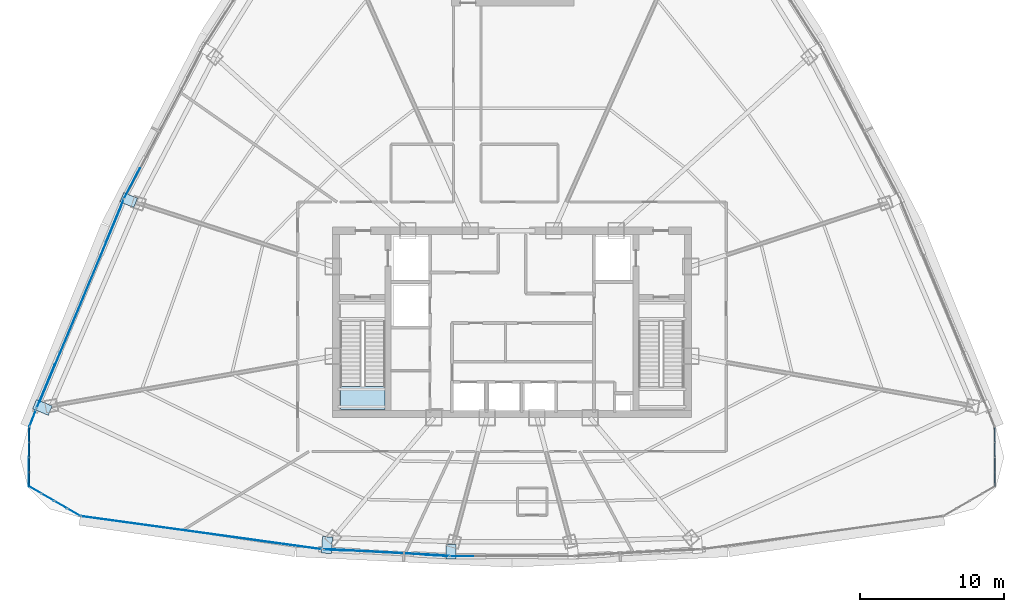
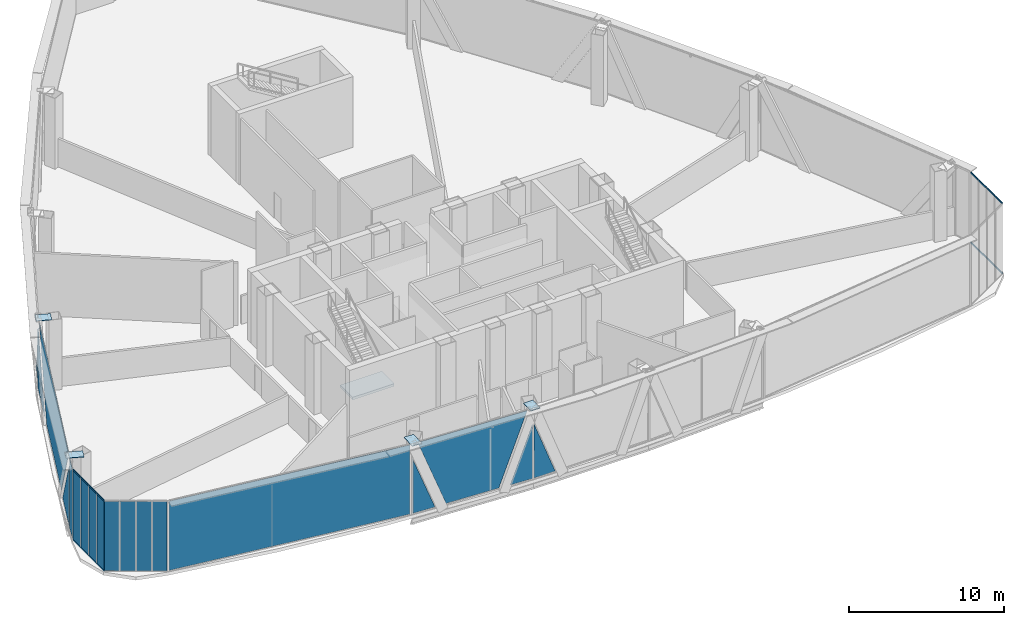
# One storey, part 28 of 38: 22 plates, 16 members, 1 slab, 10 elements without a shape of their own.
"""IFC4 building model written with IfcOpenShell, lengths in metres."""

import ifcopenshell
import ifcopenshell.guid

model = None  # the IFC model being written
_history = None  # IfcOwnerHistory: only IFC2X3 demands one
_inside = {}  # id of a spatial element -> (the spatial element, [elements in it])
_under = {}  # id of a project, library or spatial element -> (it, [spatial elements below it])
_declared = {}  # id of a project -> (the project, [libraries it declares])
_typed = {}  # id of a type object -> (the type object, [elements of that type])
_made_of = {}  # id of a material, layer set ... -> (it, [elements and type objects made of it])


def new_model(schema):
    """Start an empty IFC model of exactly this schema.

    Asked for "IFC4X3", IfcOpenShell would pick the latest addendum, in which some entities
    have other attributes; the version numbers below select the first issue.
    IFC2X3 requires an IfcOwnerHistory on every rooted entity: one is made here for all.
    """
    global model, _history
    if schema == "IFC4X3":
        model = ifcopenshell.file(schema_version=(4, 3, 0, 0))
    else:
        model = ifcopenshell.file(schema=schema)
    _inside.clear()
    _under.clear()
    _declared.clear()
    _typed.clear()
    _made_of.clear()
    _history = None
    if model.schema == "IFC2X3":
        org = make("IfcOrganization", Name="unknown")
        user = make(
            "IfcPersonAndOrganization",
            ThePerson=make("IfcPerson", FamilyName="unknown"),
            TheOrganization=org,
        )
        app = make(
            "IfcApplication",
            ApplicationDeveloper=org,
            Version="unknown",
            ApplicationFullName="unknown",
            ApplicationIdentifier="unknown",
        )
        _history = make(
            "IfcOwnerHistory",
            OwningUser=user,
            OwningApplication=app,
            ChangeAction="ADDED",
            CreationDate=0,
        )
    return model


def make(cls, **values):
    """One entity of the class cls with the attributes given. An attribute that is None is left unset."""
    return model.create_entity(
        cls, **{name: value for name, value in values.items() if value is not None}
    )


def rooted(cls, **values):
    """An entity with a GlobalId (a new one), such as an element, a storey or a relation."""
    return make(cls, GlobalId=ifcopenshell.guid.new(), OwnerHistory=_history, **values)


def si_unit(unit_type, name, prefix=None):
    """IfcSIUnit, for example si_unit("LENGTHUNIT", "METRE", prefix="MILLI")."""
    return make("IfcSIUnit", UnitType=unit_type, Prefix=prefix, Name=name)


def assignment(units):
    """IfcUnitAssignment: the units of a project."""
    return None if units is None else make("IfcUnitAssignment", Units=units)


def point(xyz):
    """IfcCartesianPoint."""
    return None if xyz is None else make("IfcCartesianPoint", Coordinates=xyz)


def direction(xyz):
    """IfcDirection."""
    return None if xyz is None else make("IfcDirection", DirectionRatios=xyz)


def frame(location, z_axis=None, x_axis=None):
    """IfcAxis2Placement3D, a coordinate frame: its origin and axes. An axis left out is left unset."""
    return make(
        "IfcAxis2Placement3D",
        Location=point(location),
        Axis=direction(z_axis),
        RefDirection=direction(x_axis),
    )


def frame_2d(location, x_axis=None):
    """IfcAxis2Placement2D, a coordinate frame in the plane: its origin and x axis."""
    return make(
        "IfcAxis2Placement2D", Location=point(location), RefDirection=direction(x_axis)
    )


def origin():
    """The frame at (0, 0, 0) with its axes left unset."""
    return frame((0.0, 0.0, 0.0))


def origin_2d():
    """The frame at (0, 0) in the plane with its x axis left unset."""
    return frame_2d((0.0, 0.0))


def place(relative_to, where):
    """IfcLocalPlacement: puts the frame where relative to a parent placement (None: the world)."""
    return make(
        "IfcLocalPlacement", PlacementRelTo=relative_to, RelativePlacement=where
    )


def context(
    kind, dimensions, precision=None, world=None, true_north=None, identifier=None
):
    """IfcGeometricRepresentationContext, for example the 3D "Model" context."""
    return make(
        "IfcGeometricRepresentationContext",
        ContextIdentifier=identifier,
        ContextType=kind,
        CoordinateSpaceDimension=dimensions,
        Precision=precision,
        WorldCoordinateSystem=world,
        TrueNorth=true_north,
    )


def subcontext(parent, identifier, kind, view, scale=None):
    """IfcGeometricRepresentationSubContext, for example "Body" below "Model"."""
    return make(
        "IfcGeometricRepresentationSubContext",
        ContextIdentifier=identifier,
        ContextType=kind,
        ParentContext=parent,
        TargetScale=scale,
        TargetView=view,
    )


def project(units=None, contexts=None):
    """IfcProject with its units and contexts."""
    return rooted(
        "IfcProject",
        Name="project",
        RepresentationContexts=contexts,
        UnitsInContext=assignment(units),
    )


def spatial(cls, under=None, at=None, **own):
    """A site, building, storey or space (cls), placed at a placement, below another one or the project."""
    s = rooted(cls, ObjectPlacement=at, **own)
    if under is not None:
        _under.setdefault(under.id(), (under, []))[1].append(s)
    return s


def polyline(points):
    """IfcPolyline through the points."""
    return make("IfcPolyline", Points=[point(p) for p in points])


def profile(cls, at=None, kind="AREA", **sizes):
    """A parametric profile (cls). Its sizes go by their IFC names, for example OverallWidth=200.0."""
    return make(cls, ProfileType=kind, Position=at, **sizes)


def rectangle(**sizes):
    """IfcRectangleProfileDef."""
    return profile("IfcRectangleProfileDef", **sizes)


def hollow_rectangle(**sizes):
    """IfcRectangleHollowProfileDef."""
    return profile("IfcRectangleHollowProfileDef", **sizes)


def outline(outer, holes=None, kind="AREA"):
    """IfcArbitraryClosedProfileDef: a profile drawn as a closed curve; with holes, ...WithVoids."""
    if holes is None:
        return make("IfcArbitraryClosedProfileDef", ProfileType=kind, OuterCurve=outer)
    return make(
        "IfcArbitraryProfileDefWithVoids",
        ProfileType=kind,
        OuterCurve=outer,
        InnerCurves=holes,
    )


def extrude(swept, where, along, depth):
    """IfcExtrudedAreaSolid: the profile swept, set in the frame where, extruded along a direction by depth."""
    return make(
        "IfcExtrudedAreaSolid",
        SweptArea=swept,
        Position=where,
        ExtrudedDirection=direction(along),
        Depth=depth,
    )


def shape(context_of_items, identifier, shape_type, items):
    """IfcShapeRepresentation: the items that make up one representation, for example the "Body"."""
    return make(
        "IfcShapeRepresentation",
        ContextOfItems=context_of_items,
        RepresentationIdentifier=identifier,
        RepresentationType=shape_type,
        Items=items,
    )


def source(mapping_origin, context_of_items, identifier, shape_type, items):
    """IfcRepresentationMap: a shape defined once, which mapped items show again and again."""
    return make(
        "IfcRepresentationMap",
        MappingOrigin=mapping_origin,
        MappedRepresentation=shape(context_of_items, identifier, shape_type, items),
    )


def transform(
    local_origin,
    x_axis=None,
    y_axis=None,
    z_axis=None,
    scale=None,
    scale2=None,
    scale3=None,
    uniform=True,
):
    """IfcCartesianTransformationOperator3D, or its non-uniform kind. x_axis, y_axis, z_axis: its Axis1, 2, 3."""
    if uniform:
        return make(
            "IfcCartesianTransformationOperator3D",
            Axis1=direction(x_axis),
            Axis2=direction(y_axis),
            LocalOrigin=point(local_origin),
            Scale=scale,
            Axis3=direction(z_axis),
        )
    return make(
        "IfcCartesianTransformationOperator3DnonUniform",
        Axis1=direction(x_axis),
        Axis2=direction(y_axis),
        LocalOrigin=point(local_origin),
        Scale=scale,
        Axis3=direction(z_axis),
        Scale2=scale2,
        Scale3=scale3,
    )


def mapped(mapping_source, mapping_target):
    """IfcMappedItem: shows the shape of a source again, moved by a transform."""
    return make(
        "IfcMappedItem", MappingSource=mapping_source, MappingTarget=mapping_target
    )


def material(Name=None, Category=None):
    """IfcMaterial."""
    return make("IfcMaterial", Name=Name, Category=Category)


def layer(
    of_material, thickness, ventilated=None, Name=None, Category=None, Priority=None
):
    """IfcMaterialLayer: one layer of a wall or slab, of a material (None: an air gap)."""
    return make(
        "IfcMaterialLayer",
        Material=of_material,
        LayerThickness=thickness,
        IsVentilated=ventilated,
        Name=Name,
        Category=Category,
        Priority=Priority,
    )


def layer_set(layers, Name=None):
    """IfcMaterialLayerSet."""
    return make("IfcMaterialLayerSet", MaterialLayers=layers, LayerSetName=Name)


def material_profile(
    of_material, cross_section, Name=None, Category=None, Priority=None
):
    """IfcMaterialProfile: a cross section and its material."""
    return make(
        "IfcMaterialProfile",
        Name=Name,
        Material=of_material,
        Profile=cross_section,
        Priority=Priority,
        Category=Category,
    )


def profile_set(profiles, Name=None, composite=None):
    """IfcMaterialProfileSet."""
    return make(
        "IfcMaterialProfileSet",
        Name=Name,
        MaterialProfiles=profiles,
        CompositeProfile=composite,
    )


def made_of(thing, what):
    """Note that an element or type object is made of a material, layer set ...; save() writes the relation."""
    if what is not None:
        _made_of.setdefault(what.id(), (what, []))[1].append(thing)
    return thing


def type_object(cls, material=None, **own):
    """A type object (cls), such as IfcWallType, which elements share."""
    return made_of(rooted(cls, **own), material)


def element(
    cls,
    number,
    at=None,
    inside=None,
    cuts=None,
    type_object=None,
    material=None,
    context=None,
    identifier="Body",
    shape_type=None,
    held_by="IfcProductDefinitionShape",
    body=None,
    shapes=None,
    **own,
):
    """One element of the class cls, such as IfcWall. Its Tag is "e" and its number.

    at: its placement. inside: the storey or other place that contains it. cuts: it is an
    opening in that element (IfcRelVoidsElement). A single representation is given by context,
    identifier, shape_type and body (its items); several are given by shapes. held_by: the class
    of the entity that holds the representations. save() writes the other relations.
    """
    e = rooted(cls, Tag="e%d" % number, ObjectPlacement=at, **own)
    if body is not None:
        shapes = [shape(context, identifier, shape_type, body)]
    if shapes is not None:
        e.Representation = make(held_by, Representations=shapes)
    if inside is not None:
        _inside.setdefault(inside.id(), (inside, []))[1].append(e)
    if cuts is not None:
        rooted(
            "IfcRelVoidsElement", RelatingBuildingElement=cuts, RelatedOpeningElement=e
        )
    if type_object is not None:
        _typed.setdefault(type_object.id(), (type_object, []))[1].append(e)
    return made_of(e, material)


def aggregate(whole, parts):
    """IfcRelAggregates: a whole, such as a stair, and the parts it consists of."""
    return rooted("IfcRelAggregates", RelatingObject=whole, RelatedObjects=parts)


def save(model, path):
    """Write the relations noted so far, then the file.

    IfcRelAggregates (storeys below a building ...), IfcRelContainedInSpatialStructure (elements
    in a storey), IfcRelDefinesByType, IfcRelAssociatesMaterial and IfcRelDeclares: one each for
    every whole, place, type object, material and project.
    """
    for whole, parts in _under.values():
        aggregate(whole, parts)
    for where, things in _inside.values():
        rooted(
            "IfcRelContainedInSpatialStructure",
            RelatedElements=things,
            RelatingStructure=where,
        )
    for kind, things in _typed.values():
        rooted("IfcRelDefinesByType", RelatedObjects=things, RelatingType=kind)
    for what, things in _made_of.values():
        rooted("IfcRelAssociatesMaterial", RelatedObjects=things, RelatingMaterial=what)
    for by, libraries in _declared.values():
        rooted("IfcRelDeclares", RelatingContext=by, RelatedDefinitions=libraries)
    model.write(path)


model = new_model("IFC4")

# Units and contexts
model_context = context("Model", 3, precision=1e-05, world=origin(), true_north=direction((0.0, 1.0)))
body_context = subcontext(model_context, "Body", "Model", "MODEL_VIEW")
ifc_project = project(units=[si_unit("LENGTHUNIT", "METRE"), si_unit("AREAUNIT", "SQUARE_METRE"), si_unit("VOLUMEUNIT", "CUBIC_METRE"), si_unit("PLANEANGLEUNIT", "RADIAN"), si_unit("MASSUNIT", "GRAM", prefix="KILO"), si_unit("THERMODYNAMICTEMPERATUREUNIT", "KELVIN"), si_unit("POWERUNIT", "WATT")], contexts=[model_context])

# Site, building, storey
site_placement = place(None, origin())
site = spatial("IfcSite", under=ifc_project, at=site_placement, CompositionType="ELEMENT")
building_placement = place(site_placement, origin())
building = spatial("IfcBuilding", under=site, at=building_placement, Name="Yunzhuo Pagoda Commons", CompositionType="ELEMENT")
storey_placement = place(building_placement, frame((0.0, 0.0, 266.909912109375)))
storey = spatial("IfcBuildingStorey", under=building, at=storey_placement, Name="L67", CompositionType="ELEMENT", Elevation=266.909912109375)

# Curtain wall, members
ifc_material_1 = material(Name="Anodized aluminium 6063-T6", Category="aluminium")
ifc_layer_1 = layer(ifc_material_1, 0.1298828125)
ifc_layer_set_1 = layer_set([ifc_layer_1], Name="Anodized aluminium 6063-T6")
curtain_wall_type_1 = type_object("IfcCurtainWallType", Name="CW-VTX Rounded Corner Curtain Wall", PredefinedType="NOTDEFINED", material=ifc_layer_set_1)
curtain_wall_1_placement = place(storey_placement, origin())
curtain_wall_1 = element("IfcCurtainWall", 1, at=curtain_wall_1_placement, inside=storey, type_object=curtain_wall_type_1, Name="L67 curtain wall CW-L67-VTX1S1", PredefinedType="NOTDEFINED")
ifc_material_profile = material_profile(ifc_material_1, hollow_rectangle(XDim=0.054931640625, YDim=0.1201171875, WallThickness=0.00341796875, at=origin_2d()), Name="Anodized aluminium 6063-T6")
ifc_profile_set = profile_set([ifc_material_profile], Name="Anodized aluminium 6063-T6")
member_type = type_object("IfcMemberType", Name="CW-VTX-T Transom RHS 120x55x3.5", PredefinedType="USERDEFINED", material=ifc_profile_set)
shared_shape_1 = source(origin(), body_context, "Body", "SweptSolid", [
    extrude(hollow_rectangle(XDim=0.054931640625, YDim=0.1201171875, WallThickness=0.00341796875, at=origin_2d()), origin(), (0.0, 0.0, 1.0), 0.95556640625),
])
member_1_placement = place(storey_placement, frame((14.533447265625, 26.53271484375, 0.027587890625), z_axis=(-0.003576880542, -0.999993602942, 0.0), x_axis=(0.999993602942, -0.003576880542, 0.0)))
member_1 = element("IfcMember", 2, at=member_1_placement, type_object=member_type, Name="CW transom 1.1", ObjectType="TRANSOM", PredefinedType="USERDEFINED", context=body_context, shape_type="MappedRepresentation", body=[
    mapped(shared_shape_1, transform((0.0, 0.0, 0.0), scale=1.0)),
])
member_2_placement = place(storey_placement, frame((14.533447265625, 26.53271484375, 5.54248046875), z_axis=(-0.003576880542, -0.999993602942, 0.0), x_axis=(0.999993602942, -0.003576880542, 0.0)))
member_2 = element("IfcMember", 3, at=member_2_placement, type_object=member_type, Name="CW transom 1.2", ObjectType="TRANSOM", PredefinedType="USERDEFINED", context=body_context, shape_type="MappedRepresentation", body=[
    mapped(shared_shape_1, transform((0.0, 0.0, 0.0), scale=1.0)),
])

curtain_wall_2_placement = place(storey_placement, origin())
curtain_wall_2 = element("IfcCurtainWall", 4, at=curtain_wall_2_placement, inside=storey, type_object=curtain_wall_type_1, Name="L67 curtain wall CW-L67-VTX2S2", PredefinedType="NOTDEFINED")
member_3_placement = place(storey_placement, frame((81.469970703125, 25.5771484375, 0.027587890625), z_axis=(-0.003576880542, 0.999993602942, 0.0), x_axis=(-0.999993602942, -0.003576880542, 0.0)))
member_3 = element("IfcMember", 5, at=member_3_placement, type_object=member_type, Name="CW transom 4.1", ObjectType="TRANSOM", PredefinedType="USERDEFINED", context=body_context, shape_type="MappedRepresentation", body=[
    mapped(shared_shape_1, transform((0.0, 0.0, 0.0), scale=1.0)),
])
member_4_placement = place(storey_placement, frame((81.469970703125, 25.5771484375, 5.54248046875), z_axis=(-0.003576880542, 0.999993602942, 0.0), x_axis=(-0.999993602942, -0.003576880542, 0.0)))
member_4 = element("IfcMember", 6, at=member_4_placement, type_object=member_type, Name="CW transom 4.2", ObjectType="TRANSOM", PredefinedType="USERDEFINED", context=body_context, shape_type="MappedRepresentation", body=[
    mapped(shared_shape_1, transform((0.0, 0.0, 0.0), scale=1.0)),
])

# Member
shared_shape_2 = source(origin(), body_context, "Body", "SweptSolid", [
    extrude(hollow_rectangle(XDim=0.054931640625, YDim=0.1201171875, WallThickness=0.00341796875, at=origin_2d()), origin(), (0.0, 0.0, 1.0), 0.983154296875),
])
member_5_placement = place(storey_placement, frame((14.52978515625, 25.52197265625, 0.027587890625), z_axis=(-0.003476512391, -0.999993956913, 0.0), x_axis=(0.999993956913, -0.003476512391, 0.0)))
member_5 = element("IfcMember", 7, at=member_5_placement, type_object=member_type, Name="CW transom 2.1", ObjectType="TRANSOM", PredefinedType="USERDEFINED", context=body_context, shape_type="MappedRepresentation", body=[
    mapped(shared_shape_2, transform((0.0, 0.0, 0.0), scale=1.0)),
])

member_6_placement = place(storey_placement, frame((14.52978515625, 25.52197265625, 5.54248046875), z_axis=(-0.003476512391, -0.999993956913, 0.0), x_axis=(0.999993956913, -0.003476512391, 0.0)))
member_6 = element("IfcMember", 8, at=member_6_placement, type_object=member_type, Name="CW transom 2.2", ObjectType="TRANSOM", PredefinedType="USERDEFINED", context=body_context, shape_type="MappedRepresentation", body=[
    mapped(shared_shape_2, transform((0.0, 0.0, 0.0), scale=1.0)),
])

member_7_placement = place(storey_placement, frame((81.4736328125, 24.538818359375, 0.027587890625), z_axis=(-0.003476512391, 0.999993956913, 0.0), x_axis=(-0.999993956913, -0.003476512391, 0.0)))
member_7 = element("IfcMember", 9, at=member_7_placement, type_object=member_type, Name="CW transom 3.1", ObjectType="TRANSOM", PredefinedType="USERDEFINED", context=body_context, shape_type="MappedRepresentation", body=[
    mapped(shared_shape_2, transform((0.0, 0.0, 0.0), scale=1.0)),
])

member_8_placement = place(storey_placement, frame((81.4736328125, 24.538818359375, 5.54248046875), z_axis=(-0.003476512391, 0.999993956913, 0.0), x_axis=(-0.999993956913, -0.003476512391, 0.0)))
member_8 = element("IfcMember", 10, at=member_8_placement, type_object=member_type, Name="CW transom 3.2", ObjectType="TRANSOM", PredefinedType="USERDEFINED", context=body_context, shape_type="MappedRepresentation", body=[
    mapped(shared_shape_2, transform((0.0, 0.0, 0.0), scale=1.0)),
])

shared_shape_3 = source(origin(), body_context, "Body", "SweptSolid", [
    extrude(hollow_rectangle(XDim=0.054931640625, YDim=0.1201171875, WallThickness=0.00341796875, at=origin_2d()), origin(), (0.0, 0.0, 1.0), 0.9833984375),
])
member_9_placement = place(storey_placement, frame((14.526123046875, 24.48388671875, 0.027587890625), z_axis=(-0.003723906652, -0.999993066236, 0.0), x_axis=(0.999993066236, -0.003723906652, 0.0)))
member_9 = element("IfcMember", 11, at=member_9_placement, type_object=member_type, Name="CW transom 3.1", ObjectType="TRANSOM", PredefinedType="USERDEFINED", context=body_context, shape_type="MappedRepresentation", body=[
    mapped(shared_shape_3, transform((0.0, 0.0, 0.0), scale=1.0)),
])

member_10_placement = place(storey_placement, frame((14.526123046875, 24.48388671875, 5.54248046875), z_axis=(-0.003723906652, -0.999993066236, 0.0), x_axis=(0.999993066236, -0.003723906652, 0.0)))
member_10 = element("IfcMember", 12, at=member_10_placement, type_object=member_type, Name="CW transom 3.2", ObjectType="TRANSOM", PredefinedType="USERDEFINED", context=body_context, shape_type="MappedRepresentation", body=[
    mapped(shared_shape_3, transform((0.0, 0.0, 0.0), scale=1.0)),
])

member_11_placement = place(storey_placement, frame((81.4775390625, 23.50048828125, 0.027587890625), z_axis=(-0.003723906652, 0.999993066236, 0.0), x_axis=(-0.999993066236, -0.003723906652, 0.0)))
member_11 = element("IfcMember", 13, at=member_11_placement, type_object=member_type, Name="CW transom 2.1", ObjectType="TRANSOM", PredefinedType="USERDEFINED", context=body_context, shape_type="MappedRepresentation", body=[
    mapped(shared_shape_3, transform((0.0, 0.0, 0.0), scale=1.0)),
])

member_12_placement = place(storey_placement, frame((81.4775390625, 23.50048828125, 5.54248046875), z_axis=(-0.003723906652, 0.999993066236, 0.0), x_axis=(-0.999993066236, -0.003723906652, 0.0)))
member_12 = element("IfcMember", 14, at=member_12_placement, type_object=member_type, Name="CW transom 2.2", ObjectType="TRANSOM", PredefinedType="USERDEFINED", context=body_context, shape_type="MappedRepresentation", body=[
    mapped(shared_shape_3, transform((0.0, 0.0, 0.0), scale=1.0)),
])

shared_shape_4 = source(origin(), body_context, "Body", "SweptSolid", [
    extrude(hollow_rectangle(XDim=0.054931640625, YDim=0.1201171875, WallThickness=0.00341796875, at=origin_2d()), origin(), (0.0, 0.0, 1.0), 0.955810546875),
])
member_13_placement = place(storey_placement, frame((14.522216796875, 23.445556640625, 0.027587890625), z_axis=(-0.003575966919, -0.99999360621, 0.0), x_axis=(0.99999360621, -0.003575966919, 0.0)))
member_13 = element("IfcMember", 15, at=member_13_placement, type_object=member_type, Name="CW transom 4.1", ObjectType="TRANSOM", PredefinedType="USERDEFINED", context=body_context, shape_type="MappedRepresentation", body=[
    mapped(shared_shape_4, transform((0.0, 0.0, 0.0), scale=1.0)),
])

member_14_placement = place(storey_placement, frame((14.522216796875, 23.445556640625, 5.54248046875), z_axis=(-0.003575966919, -0.99999360621, 0.0), x_axis=(0.99999360621, -0.003575966919, 0.0)))
member_14 = element("IfcMember", 16, at=member_14_placement, type_object=member_type, Name="CW transom 4.2", ObjectType="TRANSOM", PredefinedType="USERDEFINED", context=body_context, shape_type="MappedRepresentation", body=[
    mapped(shared_shape_4, transform((0.0, 0.0, 0.0), scale=1.0)),
])

member_15_placement = place(storey_placement, frame((81.481201171875, 22.48974609375, 0.027587890625), z_axis=(-0.003575966919, 0.99999360621, 0.0), x_axis=(-0.99999360621, -0.003575966919, 0.0)))
member_15 = element("IfcMember", 17, at=member_15_placement, type_object=member_type, Name="CW transom 1.1", ObjectType="TRANSOM", PredefinedType="USERDEFINED", context=body_context, shape_type="MappedRepresentation", body=[
    mapped(shared_shape_4, transform((0.0, 0.0, 0.0), scale=1.0)),
])

member_16_placement = place(storey_placement, frame((81.481201171875, 22.48974609375, 5.54248046875), z_axis=(-0.003575966919, 0.99999360621, 0.0), x_axis=(-0.99999360621, -0.003575966919, 0.0)))
member_16 = element("IfcMember", 18, at=member_16_placement, type_object=member_type, Name="CW transom 1.2", ObjectType="TRANSOM", PredefinedType="USERDEFINED", context=body_context, shape_type="MappedRepresentation", body=[
    mapped(shared_shape_4, transform((0.0, 0.0, 0.0), scale=1.0)),
])

aggregate(curtain_wall_2, [member_15, member_16, member_11, member_12, member_7, member_8, member_3, member_4])

# Curtain wall, plates
ifc_layer_2 = layer(ifc_material_1, 0.139892578125)
ifc_layer_set_2 = layer_set([ifc_layer_2], Name="Anodized aluminium 6063-T6")
curtain_wall_type_2 = type_object("IfcCurtainWallType", Name="CW-HI High-Zone Ribbon Curtain Wall", PredefinedType="NOTDEFINED", material=ifc_layer_set_2)
curtain_wall_3_placement = place(storey_placement, origin())
curtain_wall_3 = element("IfcCurtainWall", 19, at=curtain_wall_3_placement, inside=storey, type_object=curtain_wall_type_2, Name="L67 curtain wall CW-L67-F1B2", PredefinedType="NOTDEFINED")
ifc_material_2 = material(Name="Tempered low-e double glazing", Category="glass")
ifc_layer_3 = layer(ifc_material_2, 0.02587890625)
ifc_layer_set_3 = layer_set([ifc_layer_3], Name="Tempered low-e double glazing")
plate_type_1 = type_object("IfcPlateType", Name="CW-HI-P Low-E Double Glazing 26", PredefinedType="CURTAIN_PANEL", material=ifc_layer_set_3)
plate_1_placement = place(storey_placement, frame((35.783935546875, 18.076904296875, 2.1943359375), z_axis=(-0.053427477858, -0.998571732331, 0.0), x_axis=(0.998571732331, -0.053427477858, 0.0)))
plate_1 = element("IfcPlate", 20, at=plate_1_placement, type_object=plate_type_1, Name="CW panel 1.1 lite 1", PredefinedType="CURTAIN_PANEL", context=body_context, shape_type="SweptSolid", body=[
    extrude(outline(polyline([(-0.806396484375, -2.139404296875), (0.806396484375, -2.139404296875), (-0.806396484375, 2.139404296875), (-0.806396484375, -2.139404296875)])), origin(), (0.0, 0.0, 1.0), 0.028076171875),
])
plate_2_placement = place(storey_placement, frame((39.3095703125, 17.91845703125, 2.78515625), z_axis=(-0.053427477858, -0.998571732331, 0.0), x_axis=(0.998571732331, -0.053427477858, 0.0)))
plate_2 = element("IfcPlate", 21, at=plate_2_placement, type_object=plate_type_1, Name="CW panel 1.1 lite 2", PredefinedType="CURTAIN_PANEL", context=body_context, shape_type="SweptSolid", body=[
    extrude(outline(polyline([(-3.96875, 2.72998046875), (-1.910400390625, -2.72998046875), (1.910400390625, -2.72998046875), (3.96875, 2.72998046875), (-3.96875, 2.72998046875)])), origin(), (0.0, 0.0, 1.0), 0.028076171875),
])
plate_3_placement = place(storey_placement, frame((42.832275390625, 17.699951171875, 2.1943359375), z_axis=(-0.053427477858, -0.998571732331, 0.0), x_axis=(0.998571732331, -0.053427477858, 0.0)))
plate_3 = element("IfcPlate", 22, at=plate_3_placement, type_object=plate_type_1, Name="CW panel 1.1 lite 3", PredefinedType="CURTAIN_PANEL", context=body_context, shape_type="SweptSolid", body=[
    extrude(outline(polyline([(-0.806396484375, -2.139404296875), (0.806396484375, -2.139404296875), (0.806396484375, 2.139404296875), (-0.806396484375, -2.139404296875)])), origin(), (0.0, 0.0, 1.0), 0.028076171875),
])
aggregate(curtain_wall_3, [plate_1, plate_2, plate_3])

# Curtain wall, plate
curtain_wall_4_placement = place(storey_placement, origin())
curtain_wall_4 = element("IfcCurtainWall", 23, at=curtain_wall_4_placement, inside=storey, type_object=curtain_wall_type_2, Name="L67 curtain wall CW-L67-F1B3", PredefinedType="NOTDEFINED")
plate_4_placement = place(storey_placement, frame((44.541748046875, 17.65380859375, 2.182373046875), z_axis=(0.0, -1.0, 0.0), x_axis=(1.0, 0.0, 0.0)))
plate_4 = element("IfcPlate", 24, at=plate_4_placement, type_object=plate_type_1, Name="CW panel 1.1 lite 1", PredefinedType="CURTAIN_PANEL", context=body_context, shape_type="SweptSolid", body=[
    extrude(outline(polyline([(-0.78515625, -2.12744140625), (0.78515625, -2.12744140625), (-0.78515625, 2.12744140625), (-0.78515625, -2.12744140625)])), origin(), (0.0, 0.0, 1.0), 0.028076171875),
])
aggregate(curtain_wall_4, [plate_4])

curtain_wall_5_placement = place(storey_placement, origin())
curtain_wall_5 = element("IfcCurtainWall", 25, at=curtain_wall_5_placement, inside=storey, type_object=curtain_wall_type_2, Name="L67 curtain wall CW-L67-F3B3", PredefinedType="NOTDEFINED")
plate_5_placement = place(storey_placement, frame((21.681396484375, 43.5146484375, 2.3349609375), z_axis=(-0.886066126675, 0.46355886267, 0.0), x_axis=(-0.46355886267, -0.886066126675, 0.0)))
plate_5 = element("IfcPlate", 26, at=plate_5_placement, type_object=plate_type_1, Name="CW panel 1.1 lite 3", PredefinedType="CURTAIN_PANEL", context=body_context, shape_type="SweptSolid", body=[
    extrude(outline(polyline([(-1.160888671875, -2.27978515625), (1.160888671875, -2.27978515625), (1.160888671875, 2.27978515625), (-1.160888671875, -2.27978515625)])), origin(), (0.0, 0.0, 1.0), 0.028076171875),
])
aggregate(curtain_wall_5, [plate_5])

# Curtain wall, plates
curtain_wall_6_placement = place(storey_placement, origin())
curtain_wall_6 = element("IfcCurtainWall", 27, at=curtain_wall_6_placement, inside=storey, type_object=curtain_wall_type_2, Name="L67 curtain wall CW-L67-F3B4", PredefinedType="NOTDEFINED")
plate_6_placement = place(storey_placement, frame((20.474853515625, 40.897216796875, 2.428955078125), z_axis=(-0.922909845486, 0.385016125772, 0.0), x_axis=(-0.385016125772, -0.922909845486, 0.0)))
plate_6 = element("IfcPlate", 28, at=plate_6_placement, type_object=plate_type_1, Name="CW panel 1.1 lite 1", PredefinedType="CURTAIN_PANEL", context=body_context, shape_type="SweptSolid", body=[
    extrude(outline(polyline([(-1.605224609375, -2.373779296875), (1.605224609375, -2.373779296875), (-1.605224609375, 2.3740234375), (-1.605224609375, -2.373779296875)])), origin(), (0.0, 0.0, 1.0), 0.028076171875),
])
plate_7_placement = place(storey_placement, frame((18.108154296875, 35.146240234375, 2.78515625), z_axis=(-0.922909845486, 0.385016125772, 0.0), x_axis=(-0.385016125772, -0.922909845486, 0.0)))
plate_7 = element("IfcPlate", 29, at=plate_7_placement, type_object=plate_type_1, Name="CW panel 1.1 lite 2", PredefinedType="CURTAIN_PANEL", context=body_context, shape_type="SweptSolid", body=[
    extrude(outline(polyline([(-7.38818359375, 2.72998046875), (-3.6962890625, -2.72998046875), (3.6962890625, -2.72998046875), (7.38818359375, 2.72998046875), (-7.38818359375, 2.72998046875)])), origin(), (0.0, 0.0, 1.0), 0.028076171875),
])
plate_8_placement = place(storey_placement, frame((15.68603515625, 29.418212890625, 2.428955078125), z_axis=(-0.922909845486, 0.385016125772, 0.0), x_axis=(-0.385016125772, -0.922909845486, 0.0)))
plate_8 = element("IfcPlate", 30, at=plate_8_placement, type_object=plate_type_1, Name="CW panel 1.1 lite 3", PredefinedType="CURTAIN_PANEL", context=body_context, shape_type="SweptSolid", body=[
    extrude(outline(polyline([(-1.605224609375, -2.373779296875), (1.605224609375, -2.373779296875), (1.605224609375, 2.3740234375), (-1.605224609375, -2.373779296875)])), origin(), (0.0, 0.0, 1.0), 0.028076171875),
])
aggregate(curtain_wall_6, [plate_6, plate_7, plate_8])

# Stair, slab
ifc_material_3 = material(Name="Concrete C40", Category="concrete")
stair_type = type_object("IfcStairType", Name="ST-C1 Core Smokeproof Stair ST1", PredefinedType="HALF_TURN_STAIR", material=ifc_material_3)
stair_placement = place(storey_placement, origin())
stair = element("IfcStair", 31, at=stair_placement, inside=storey, type_object=stair_type, Name="L67 Core smokeproof stair ST1", PredefinedType="HALF_TURN_STAIR")
ifc_layer_4 = layer(ifc_material_3, 0.199951171875)
ifc_layer_set_4 = layer_set([ifc_layer_4], Name="Concrete C40")
slab_type = type_object("IfcSlabType", Name="SL-LND1 Stair Landing Slab 200", PredefinedType="LANDING", material=ifc_layer_set_4)
slab_placement = place(storey_placement, frame((0.0, 0.0, 2.72509765625)))
slab = element("IfcSlab", 32, at=slab_placement, type_object=slab_type, Name="ST1 landing 1", PredefinedType="LANDING", context=body_context, shape_type="SweptSolid", body=[
    extrude(outline(polyline([(36.10009765625, 29.419921875), (36.10009765625, 27.800048828125), (39.199951171875, 27.800048828125), (39.199951171875, 29.419921875), (36.10009765625, 29.419921875)])), origin(), (0.0, 0.0, 1.0), 0.199951171875),
])
aggregate(stair, [slab])

# Plates
ifc_material_4 = material(Name="Structural steel Q355B", Category="steel")
ifc_layer_5 = layer(ifc_material_4, 0.028076171875)
ifc_layer_set_5 = layer_set([ifc_layer_5], Name="Structural steel Q355B")
plate_type_2 = type_object("IfcPlateType", Name="SP-ND1 Lattice Node Cap Plate 800x500x28", PredefinedType="USERDEFINED", material=ifc_layer_set_5)
shared_shape_5 = source(origin(), body_context, "Body", "SweptSolid", [
    extrude(rectangle(XDim=0.699951171875, YDim=1.148681640625, at=origin_2d()), origin(), (0.0, 0.0, 1.0), 0.035888671875),
])
plate_9_placement = place(storey_placement, frame((35.174560546875, 18.415283203125, 5.5322265625), z_axis=(0.0, 0.0, 1.0), x_axis=(0.998571384692, -0.053433974907, 0.0)))
element("IfcPlate", 33, at=plate_9_placement, inside=storey, type_object=plate_type_2, Name="L67 setback lattice tie plate F1.1L", ObjectType="STIFFENER_PLATE", PredefinedType="USERDEFINED", context=body_context, shape_type="MappedRepresentation", body=[
    mapped(shared_shape_5, transform((0.0, 0.0, 0.0), scale=1.0)),
])
shared_shape_6 = source(origin(), body_context, "Body", "SweptSolid", [
    extrude(rectangle(XDim=0.699951171875, YDim=1.0078125, at=origin_2d()), origin(), (0.0, 0.0, 1.0), 0.035888671875),
])
plate_10_placement = place(storey_placement, frame((43.78173828125, 17.95751953125, 5.5322265625), z_axis=(0.0, 0.0, 1.0), x_axis=(1.0, 0.0, 0.0)))
element("IfcPlate", 34, at=plate_10_placement, inside=storey, type_object=plate_type_2, Name="L67 setback lattice tie plate F1.2L", ObjectType="STIFFENER_PLATE", PredefinedType="USERDEFINED", context=body_context, shape_type="MappedRepresentation", body=[
    mapped(shared_shape_6, transform((0.0, 0.0, 0.0), scale=1.0)),
])
shared_shape_7 = source(origin(), body_context, "Body", "SweptSolid", [
    extrude(rectangle(XDim=0.699951171875, YDim=1.180419921875, at=origin_2d()), origin(), (0.0, 0.0, 1.0), 0.035888671875),
])
plate_11_placement = place(storey_placement, frame((15.44091796875, 27.958984375, 5.5322265625), z_axis=(0.0, 0.0, 1.0), x_axis=(-0.385020291668, -0.922908107562, 0.0)))
element("IfcPlate", 35, at=plate_11_placement, inside=storey, type_object=plate_type_2, Name="L67 setback lattice tie plate F3.3R", ObjectType="STIFFENER_PLATE", PredefinedType="USERDEFINED", context=body_context, shape_type="MappedRepresentation", body=[
    mapped(shared_shape_7, transform((0.0, 0.0, 0.0), scale=1.0)),
])
shared_shape_8 = source(origin(), body_context, "Body", "SweptSolid", [
    extrude(rectangle(XDim=0.699951171875, YDim=1.0322265625, at=origin_2d()), origin(), (0.0, 0.0, 1.0), 0.035888671875),
])
plate_12_placement = place(storey_placement, frame((21.42724609375, 42.333984375, 5.5322265625), z_axis=(0.0, 0.0, 1.0), x_axis=(-0.385020291668, -0.922908107562, 0.0)))
element("IfcPlate", 36, at=plate_12_placement, inside=storey, type_object=plate_type_2, Name="L67 setback lattice tie plate F3.3L", ObjectType="STIFFENER_PLATE", PredefinedType="USERDEFINED", context=body_context, shape_type="MappedRepresentation", body=[
    mapped(shared_shape_8, transform((0.0, 0.0, 0.0), scale=1.0)),
])

# Curtain wall, plate
curtain_wall_7_placement = place(storey_placement, origin())
curtain_wall_7 = element("IfcCurtainWall", 37, at=curtain_wall_7_placement, inside=storey, type_object=curtain_wall_type_2, Name="L67 curtain wall CW-L67-F1B1", PredefinedType="NOTDEFINED")
shared_shape_9 = source(origin(), body_context, "Body", "SweptSolid", [
    extrude(rectangle(XDim=16.80810546875, YDim=0.028076171875, at=origin_2d()), origin(), (0.0, 0.0, 1.0), 5.4599609375),
])
plate_13_placement = place(storey_placement, frame((26.458251953125, 19.271484375, 0.05517578125), z_axis=(0.0, 0.0, 1.0), x_axis=(0.990695234776, -0.136099051399, 0.0)))
plate_13 = element("IfcPlate", 38, at=plate_13_placement, type_object=plate_type_1, Name="CW panel 1.1", PredefinedType="CURTAIN_PANEL", context=body_context, shape_type="MappedRepresentation", body=[
    mapped(shared_shape_9, transform((0.0, 0.0, 0.0), scale=1.0)),
])
aggregate(curtain_wall_7, [plate_13])

curtain_wall_8_placement = place(storey_placement, origin())
curtain_wall_8 = element("IfcCurtainWall", 39, at=curtain_wall_8_placement, inside=storey, type_object=curtain_wall_type_2, Name="L67 curtain wall CW-L67-F3B5", PredefinedType="NOTDEFINED")
shared_shape_10 = source(origin(), body_context, "Body", "SweptSolid", [
    extrude(rectangle(XDim=1.1962890625, YDim=0.028076171875, at=origin_2d()), origin(), (0.0, 0.0, 1.0), 5.4599609375),
])
plate_14_placement = place(storey_placement, frame((14.769287109375, 27.202392578125, 0.05517578125), z_axis=(0.0, 0.0, 1.0), x_axis=(-0.358123676077, -0.933674157634, 0.0)))
plate_14 = element("IfcPlate", 40, at=plate_14_placement, type_object=plate_type_1, Name="CW panel 1.1", PredefinedType="CURTAIN_PANEL", context=body_context, shape_type="MappedRepresentation", body=[
    mapped(shared_shape_10, transform((0.0, 0.0, 0.0), scale=1.0)),
])
aggregate(curtain_wall_8, [plate_14])

# Plate
ifc_layer_6 = layer(ifc_material_2, 0.02587890625)
ifc_layer_set_6 = layer_set([ifc_layer_6], Name="Tempered low-e double glazing")
plate_type_3 = type_object("IfcPlateType", Name="CW-VTX-P Low-E Double Glazing 26", PredefinedType="CURTAIN_PANEL", material=ifc_layer_set_6)
shared_shape_11 = source(origin(), body_context, "Body", "SweptSolid", [
    extrude(rectangle(XDim=0.955810546875, YDim=0.028076171875, at=origin_2d()), origin(), (0.0, 0.0, 1.0), 5.4599609375),
])
plate_15_placement = place(storey_placement, frame((14.53173828125, 26.054931640625, 0.05517578125), z_axis=(0.0, 0.0, 1.0), x_axis=(-0.003587744782, -0.999993564023, 0.0)))
plate_15 = element("IfcPlate", 41, at=plate_15_placement, type_object=plate_type_3, Name="CW panel 1.1", PredefinedType="CURTAIN_PANEL", context=body_context, shape_type="MappedRepresentation", body=[
    mapped(shared_shape_11, transform((0.0, 0.0, 0.0), scale=1.0)),
])

plate_16_placement = place(storey_placement, frame((14.5205078125, 22.9677734375, 0.05517578125), z_axis=(0.0, 0.0, 1.0), x_axis=(-0.003587744782, -0.999993564023, 0.0)))
plate_16 = element("IfcPlate", 42, at=plate_16_placement, type_object=plate_type_3, Name="CW panel 4.1", PredefinedType="CURTAIN_PANEL", context=body_context, shape_type="MappedRepresentation", body=[
    mapped(shared_shape_11, transform((0.0, 0.0, 0.0), scale=1.0)),
])

# Curtain wall, plates
curtain_wall_9_placement = place(storey_placement, origin())
curtain_wall_9 = element("IfcCurtainWall", 43, at=curtain_wall_9_placement, inside=storey, type_object=curtain_wall_type_1, Name="L67 curtain wall CW-L67-VTX1S2", PredefinedType="NOTDEFINED")
plate_17_placement = place(storey_placement, frame((14.93994140625, 22.2373046875, 0.05517578125), z_axis=(0.0, 0.0, 1.0), x_axis=(0.865431780539, -0.501026778958, 0.0)))
plate_17 = element("IfcPlate", 44, at=plate_17_placement, type_object=plate_type_3, Name="CW panel 1.1", PredefinedType="CURTAIN_PANEL", context=body_context, shape_type="MappedRepresentation", body=[
    mapped(shared_shape_11, transform((0.0, 0.0, 0.0), scale=1.0)),
])
plate_18_placement = place(storey_placement, frame((17.61181640625, 20.6904296875, 0.05517578125), z_axis=(0.0, 0.0, 1.0), x_axis=(0.865431780539, -0.501026778958, 0.0)))
plate_18 = element("IfcPlate", 45, at=plate_18_placement, type_object=plate_type_3, Name="CW panel 4.1", PredefinedType="CURTAIN_PANEL", context=body_context, shape_type="MappedRepresentation", body=[
    mapped(shared_shape_11, transform((0.0, 0.0, 0.0), scale=1.0)),
])

# Plate
shared_shape_12 = source(origin(), body_context, "Body", "SweptSolid", [
    extrude(rectangle(XDim=0.983154296875, YDim=0.028076171875, at=origin_2d()), origin(), (0.0, 0.0, 1.0), 5.4599609375),
])
plate_19_placement = place(storey_placement, frame((14.528076171875, 25.030517578125, 0.05517578125), z_axis=(0.0, 0.0, 1.0), x_axis=(-0.003587744782, -0.999993564023, 0.0)))
plate_19 = element("IfcPlate", 46, at=plate_19_placement, type_object=plate_type_3, Name="CW panel 2.1", PredefinedType="CURTAIN_PANEL", context=body_context, shape_type="MappedRepresentation", body=[
    mapped(shared_shape_12, transform((0.0, 0.0, 0.0), scale=1.0)),
])

plate_20_placement = place(storey_placement, frame((14.524169921875, 23.9921875, 0.05517578125), z_axis=(0.0, 0.0, 1.0), x_axis=(-0.003587744782, -0.999993564023, 0.0)))
plate_20 = element("IfcPlate", 47, at=plate_20_placement, type_object=plate_type_3, Name="CW panel 3.1", PredefinedType="CURTAIN_PANEL", context=body_context, shape_type="MappedRepresentation", body=[
    mapped(shared_shape_12, transform((0.0, 0.0, 0.0), scale=1.0)),
])

aggregate(curtain_wall_1, [member_1, member_2, plate_15, member_5, member_6, plate_19, member_9, member_10, plate_20, member_13, member_14, plate_16])

plate_21_placement = place(storey_placement, frame((15.82666015625, 21.72412109375, 0.05517578125), z_axis=(0.0, 0.0, 1.0), x_axis=(0.865431780539, -0.501026778958, 0.0)))
plate_21 = element("IfcPlate", 48, at=plate_21_placement, type_object=plate_type_3, Name="CW panel 2.1", PredefinedType="CURTAIN_PANEL", context=body_context, shape_type="MappedRepresentation", body=[
    mapped(shared_shape_12, transform((0.0, 0.0, 0.0), scale=1.0)),
])

plate_22_placement = place(storey_placement, frame((16.72509765625, 21.203857421875, 0.05517578125), z_axis=(0.0, 0.0, 1.0), x_axis=(0.865431780539, -0.501026778958, 0.0)))
plate_22 = element("IfcPlate", 49, at=plate_22_placement, type_object=plate_type_3, Name="CW panel 3.1", PredefinedType="CURTAIN_PANEL", context=body_context, shape_type="MappedRepresentation", body=[
    mapped(shared_shape_12, transform((0.0, 0.0, 0.0), scale=1.0)),
])

aggregate(curtain_wall_9, [plate_17, plate_21, plate_22, plate_18])

save(model, "model.ifc")
